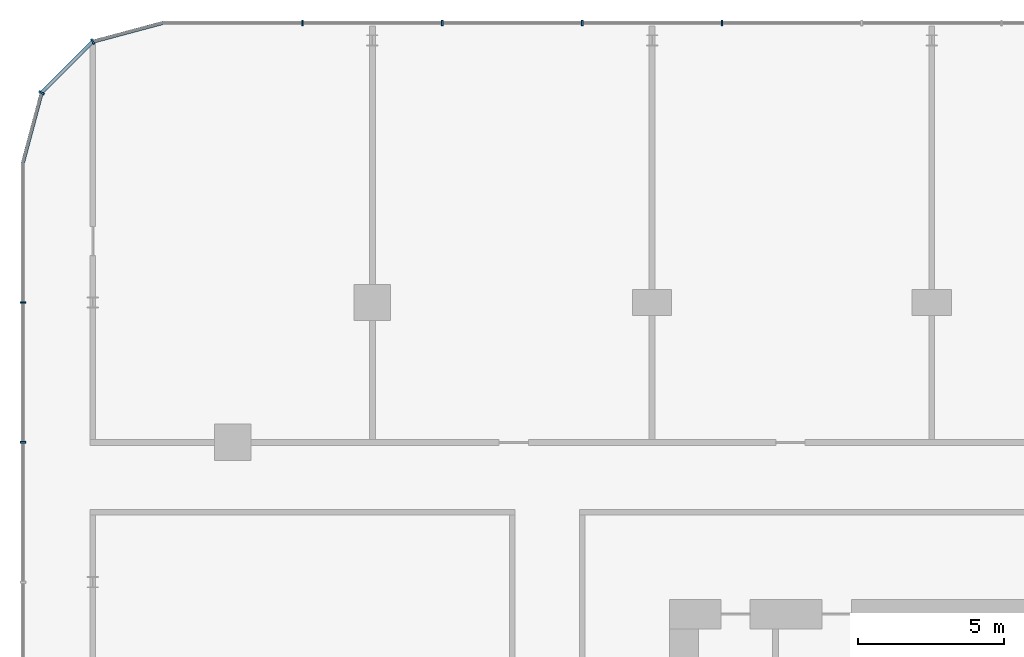
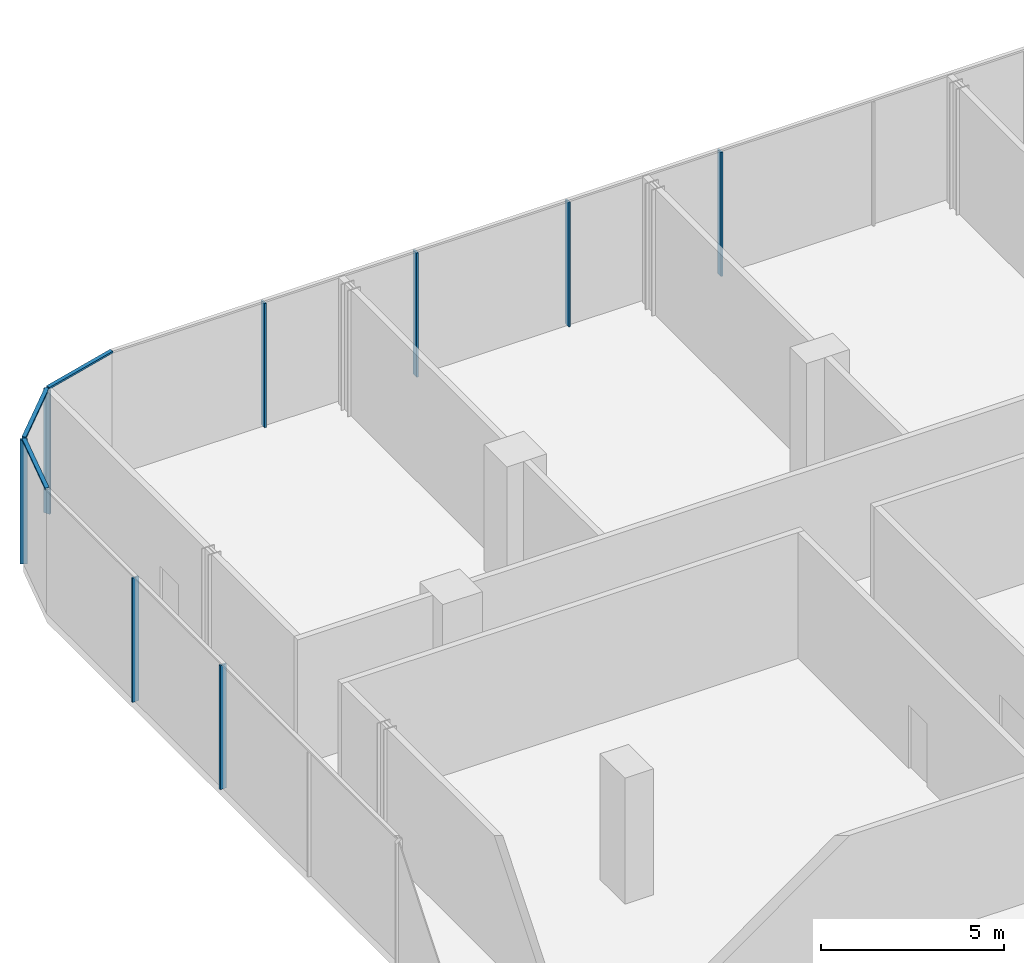
# One storey, part 17 of 38: 11 members, 3 elements without a shape of their own.
"""IFC4 building model written with IfcOpenShell, lengths in metres."""

from ifc_helpers import new_model, si_unit, direction, frame, origin, origin_2d, place, context, subcontext, project, spatial, rectangle, extrude, material, layer, layer_set, material_profile, profile_set, type_object, element, aggregate, save


model = new_model("IFC4")

# Units and contexts
model_context = context("Model", 3, precision=1e-05, world=origin(), true_north=direction((0.0, 1.0)))
body_context = subcontext(model_context, "Body", "Model", "MODEL_VIEW")
ifc_project = project(units=[si_unit("LENGTHUNIT", "METRE"), si_unit("AREAUNIT", "SQUARE_METRE"), si_unit("VOLUMEUNIT", "CUBIC_METRE"), si_unit("PLANEANGLEUNIT", "RADIAN"), si_unit("MASSUNIT", "GRAM", prefix="KILO")], contexts=[model_context])

# Site, building, storey
site_placement = place(None, origin())
site = spatial("IfcSite", under=ifc_project, at=site_placement, CompositionType="ELEMENT")
building_placement = place(site_placement, origin())
building = spatial("IfcBuilding", under=site, at=building_placement, Name="Madar Terraces", CompositionType="ELEMENT")
storey_placement = place(building_placement, frame((0.0, 0.0, 15.0)))
storey = spatial("IfcBuildingStorey", under=building, at=storey_placement, Name="L03", CompositionType="ELEMENT", Elevation=15.0)

# Curtain wall, members
ifc_material_1 = material(Name="Glass, clear low-iron, with black aluminium frame", Category="aluminium")
ifc_layer = layer(ifc_material_1, 0.199951171875)
ifc_layer_set = layer_set([ifc_layer], Name="Facade curtain wall, shopfront glazing")
curtain_wall_type = type_object("IfcCurtainWallType", Name="Facade curtain wall, shopfront glazing", PredefinedType="NOTDEFINED", material=ifc_layer_set)
curtain_wall_1_placement = place(storey_placement, origin())
curtain_wall_1 = element("IfcCurtainWall", 1, at=curtain_wall_1_placement, inside=storey, type_object=curtain_wall_type, Name="Outer skin curtain wall north bay 1", PredefinedType="NOTDEFINED")
ifc_material_2 = material(Name="Aluminium, black anodised", Category="aluminium")
ifc_material_profile_1 = material_profile(ifc_material_2, rectangle(XDim=0.199951171875, YDim=0.06005859375, at=origin_2d()), Name="Facade mullion 60x200")
ifc_profile_set_1 = profile_set([ifc_material_profile_1], Name="Aluminium, black anodised")
member_type_1 = type_object("IfcMemberType", Name="Facade mullion 60x200", PredefinedType="MULLION", material=ifc_profile_set_1)
member_1_placement = place(storey_placement, frame((16.800048828125, 57.60009765625, 0.0), z_axis=(0.0, 0.0, 1.0), x_axis=(0.0, -1.0, 0.0)))
member_1 = element("IfcMember", 2, at=member_1_placement, type_object=member_type_1, Name="Mullion 10", PredefinedType="MULLION", context=body_context, shape_type="SweptSolid", body=[
    extrude(rectangle(XDim=0.199951171875, YDim=0.06005859375, at=origin_2d()), origin(), (0.0, 0.0, 1.0), 4.139892578125),
])
member_2_placement = place(storey_placement, frame((12.0, 57.60009765625, 0.0), z_axis=(0.0, 0.0, 1.0), x_axis=(0.0, -1.0, 0.0)))
member_2 = element("IfcMember", 3, at=member_2_placement, type_object=member_type_1, Name="Mullion 11", PredefinedType="MULLION", context=body_context, shape_type="SweptSolid", body=[
    extrude(rectangle(XDim=0.199951171875, YDim=0.06005859375, at=origin_2d()), origin(), (0.0, 0.0, 1.0), 4.139892578125),
])
member_3_placement = place(storey_placement, frame((7.199951171875, 57.60009765625, 0.0), z_axis=(0.0, 0.0, 1.0), x_axis=(0.0, -1.0, 0.0)))
member_3 = element("IfcMember", 4, at=member_3_placement, type_object=member_type_1, Name="Mullion 12", PredefinedType="MULLION", context=body_context, shape_type="SweptSolid", body=[
    extrude(rectangle(XDim=0.199951171875, YDim=0.06005859375, at=origin_2d()), origin(), (0.0, 0.0, 1.0), 4.139892578125),
])
member_4_placement = place(storey_placement, frame((2.39990234375, 57.60009765625, 0.0), z_axis=(0.0, 0.0, 1.0), x_axis=(0.0, -1.0, 0.0)))
member_4 = element("IfcMember", 5, at=member_4_placement, type_object=member_type_1, Name="Mullion 13", PredefinedType="MULLION", context=body_context, shape_type="SweptSolid", body=[
    extrude(rectangle(XDim=0.199951171875, YDim=0.06005859375, at=origin_2d()), origin(), (0.0, 0.0, 1.0), 4.139892578125),
])
aggregate(curtain_wall_1, [member_1, member_2, member_3, member_4])

curtain_wall_2_placement = place(storey_placement, origin())
curtain_wall_2 = element("IfcCurtainWall", 6, at=curtain_wall_2_placement, inside=storey, type_object=curtain_wall_type, Name="Outer skin curtain wall west bay 1", PredefinedType="NOTDEFINED")
member_5_placement = place(storey_placement, frame((-7.199951171875, 48.0, 0.0), z_axis=(0.0, 0.0, 1.0), x_axis=(1.0, 0.0, 0.0)))
member_5 = element("IfcMember", 7, at=member_5_placement, type_object=member_type_1, Name="Mullion 1", PredefinedType="MULLION", context=body_context, shape_type="SweptSolid", body=[
    extrude(rectangle(XDim=0.199951171875, YDim=0.06005859375, at=origin_2d()), origin(), (0.0, 0.0, 1.0), 4.139892578125),
])
member_6_placement = place(storey_placement, frame((-7.199951171875, 43.199951171875, 0.0), z_axis=(0.0, 0.0, 1.0), x_axis=(1.0, 0.0, 0.0)))
member_6 = element("IfcMember", 8, at=member_6_placement, type_object=member_type_1, Name="Mullion 2", PredefinedType="MULLION", context=body_context, shape_type="SweptSolid", body=[
    extrude(rectangle(XDim=0.199951171875, YDim=0.06005859375, at=origin_2d()), origin(), (0.0, 0.0, 1.0), 4.139892578125),
])
aggregate(curtain_wall_2, [member_5, member_6])

curtain_wall_3_placement = place(storey_placement, origin())
curtain_wall_3 = element("IfcCurtainWall", 9, at=curtain_wall_3_placement, inside=storey, type_object=curtain_wall_type, Name="Outer skin curtain wall north-west corner", PredefinedType="NOTDEFINED")
member_7_placement = place(storey_placement, frame((-4.800048828125, 56.95703125, 0.0), z_axis=(0.0, 0.0, 1.0), x_axis=(0.499999989586, -0.866025409797, 0.0)))
member_7 = element("IfcMember", 10, at=member_7_placement, type_object=member_type_1, Name="Mullion 1", PredefinedType="MULLION", context=body_context, shape_type="SweptSolid", body=[
    extrude(rectangle(XDim=0.199951171875, YDim=0.06005859375, at=origin_2d()), origin(), (0.0, 0.0, 1.0), 4.139892578125),
])
member_8_placement = place(storey_placement, frame((-6.556884765625, 55.199951171875, 0.0), z_axis=(0.0, 0.0, 1.0), x_axis=(0.866025409797, -0.499999989586, 0.0)))
member_8 = element("IfcMember", 11, at=member_8_placement, type_object=member_type_1, Name="Mullion 2", PredefinedType="MULLION", context=body_context, shape_type="SweptSolid", body=[
    extrude(rectangle(XDim=0.199951171875, YDim=0.06005859375, at=origin_2d()), origin(), (0.0, 0.0, 1.0), 4.139892578125),
])
ifc_material_3 = material(Name="Aluminium, black anodised", Category="aluminium")
ifc_material_profile_2 = material_profile(ifc_material_3, rectangle(XDim=0.1201171875, YDim=0.06005859375, at=origin_2d()), Name="Facade transom 60x120")
ifc_profile_set_2 = profile_set([ifc_material_profile_2], Name="Aluminium, black anodised")
member_type_2 = type_object("IfcMemberType", Name="Facade transom 60x120", PredefinedType="USERDEFINED", material=ifc_profile_set_2)
member_9_placement = place(storey_placement, frame((-2.39990234375, 57.60009765625, 4.169921875), z_axis=(-0.965908980432, -0.258881906514, 0.0), x_axis=(0.258881906514, -0.965908980432, 0.0)))
member_9 = element("IfcMember", 12, at=member_9_placement, type_object=member_type_2, Name="Transom 1", ObjectType="TRANSOM", PredefinedType="USERDEFINED", context=body_context, shape_type="SweptSolid", body=[
    extrude(rectangle(XDim=0.1201171875, YDim=0.06005859375, at=origin_2d()), origin(), (0.0, 0.0, 1.0), 2.454833984375),
])
member_10_placement = place(storey_placement, frame((-4.8212890625, 56.935791015625, 4.169921875), z_axis=(-0.707056433593, -0.707157125196, 0.0), x_axis=(0.707157125196, -0.707056433593, 0.0)))
member_10 = element("IfcMember", 13, at=member_10_placement, type_object=member_type_2, Name="Transom 2", ObjectType="TRANSOM", PredefinedType="USERDEFINED", context=body_context, shape_type="SweptSolid", body=[
    extrude(rectangle(XDim=0.1201171875, YDim=0.06005859375, at=origin_2d()), origin(), (0.0, 0.0, 1.0), 2.424560546875),
])
member_11_placement = place(storey_placement, frame((-6.564697265625, 55.171142578125, 4.169921875), z_axis=(-0.258789113195, -0.965933846022, 0.0), x_axis=(0.965933846022, -0.258789113195, 0.0)))
member_11 = element("IfcMember", 14, at=member_11_placement, type_object=member_type_2, Name="Transom 3", ObjectType="TRANSOM", PredefinedType="USERDEFINED", context=body_context, shape_type="SweptSolid", body=[
    extrude(rectangle(XDim=0.1201171875, YDim=0.06005859375, at=origin_2d()), origin(), (0.0, 0.0, 1.0), 2.454833984375),
])
aggregate(curtain_wall_3, [member_7, member_9, member_8, member_10, member_11])

save(model, "model.ifc")
